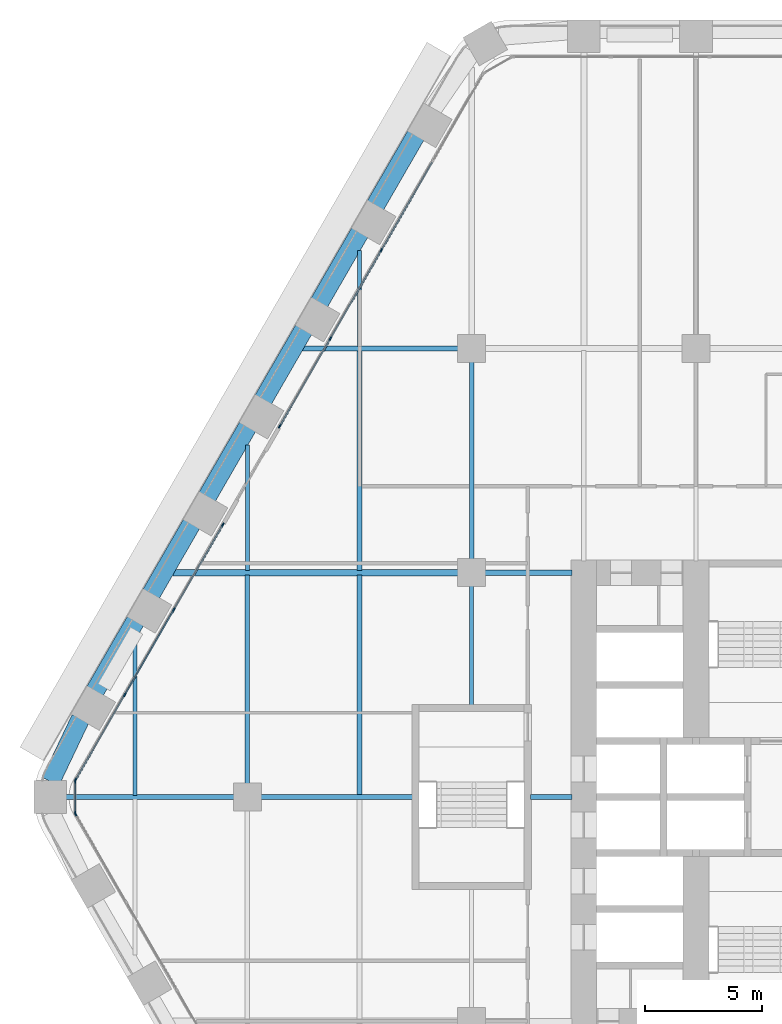
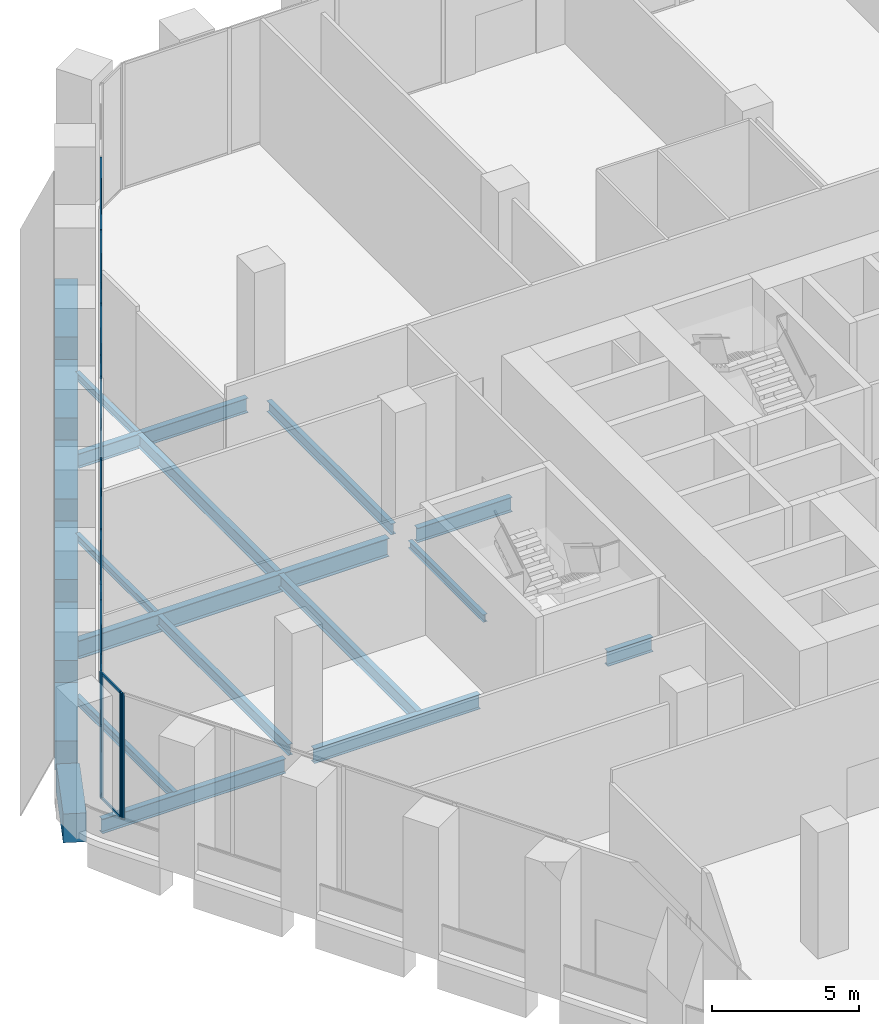
# One storey, part 7 of 27: 24 members, 21 beams, 4 elements without a shape of their own.
"""IFC4 building model written with IfcOpenShell, lengths in metres."""

from ifc_helpers import new_model, si_unit, direction, frame, origin, origin_2d, place, context, subcontext, project, spatial, rectangle, i_section, extrude, material, material_profile, profile_set, type_object, element, aggregate, save


model = new_model("IFC4")

# Units and contexts
model_context = context("Model", 3, precision=1e-05, world=origin(), true_north=direction((0.0, 1.0)))
body_context = subcontext(model_context, "Body", "Model", "MODEL_VIEW")
ifc_project = project(units=[si_unit("LENGTHUNIT", "METRE"), si_unit("AREAUNIT", "SQUARE_METRE"), si_unit("VOLUMEUNIT", "CUBIC_METRE"), si_unit("PLANEANGLEUNIT", "RADIAN"), si_unit("MASSUNIT", "GRAM", prefix="KILO")], contexts=[model_context])

# Site, building, storey
site_placement = place(None, origin())
site = spatial("IfcSite", under=ifc_project, at=site_placement, CompositionType="ELEMENT")
building_placement = place(site_placement, origin())
building = spatial("IfcBuilding", under=site, at=building_placement, Name="Kolab Exchange Tower", CompositionType="ELEMENT")
storey_placement = place(building_placement, frame((0.0, 0.0, 49.89990234375)))
storey = spatial("IfcBuildingStorey", under=building, at=storey_placement, Name="L09", CompositionType="ELEMENT", Elevation=49.89990234375)

# Beams
ifc_material_1 = material(Name="Steel S355", Category="steel")
ifc_material_profile_1 = material_profile(ifc_material_1, i_section(OverallWidth=0.1650390625, OverallDepth=0.31005859375, WebThickness=0.005859375, FlangeThickness=0.009765625, at=origin_2d()), Name="W310X39")
ifc_profile_set_1 = profile_set([ifc_material_profile_1], Name="Steel S355")
beam_type_1 = type_object("IfcBeamType", Name="FLOOR BEAM W310X39", PredefinedType="BEAM", material=ifc_profile_set_1)
beam_1_placement = place(storey_placement, frame((-28.800048828125, 9.693603515625, -0.40478515625), z_axis=(0.0, 1.0, 0.0), x_axis=(-1.0, 0.0, 0.0)))
element("IfcBeam", 1, at=beam_1_placement, inside=storey, type_object=beam_type_1, Name="beam/L09/fr/005", PredefinedType="BEAM", context=body_context, shape_type="SweptSolid", body=[
    extrude(i_section(OverallWidth=0.1650390625, OverallDepth=0.31005859375, WebThickness=0.005859375, FlangeThickness=0.009765625, at=origin_2d()), origin(), (0.0, 0.0, 1.0), 5.3740234375),
])
beam_2_placement = place(storey_placement, frame((-24.0, 19.27392578125, -0.40478515625), z_axis=(0.0, 1.0, 0.0), x_axis=(-1.0, 0.0, 0.0)))
element("IfcBeam", 2, at=beam_2_placement, inside=storey, type_object=beam_type_1, Name="beam/L09/fr/011", PredefinedType="BEAM", context=body_context, shape_type="SweptSolid", body=[
    extrude(i_section(OverallWidth=0.1650390625, OverallDepth=0.31005859375, WebThickness=0.005859375, FlangeThickness=0.009765625, at=origin_2d()), origin(), (0.0, 0.0, 1.0), 4.107666015625),
])
beam_3_placement = place(storey_placement, frame((-19.199951171875, 3.909912109375, -0.40478515625), z_axis=(0.0, 1.0, 0.0), x_axis=(-1.0, 0.0, 0.0)))
element("IfcBeam", 3, at=beam_3_placement, inside=storey, type_object=beam_type_1, Name="beam/L09/fr/015", PredefinedType="BEAM", context=body_context, shape_type="SweptSolid", body=[
    extrude(i_section(OverallWidth=0.1650390625, OverallDepth=0.31005859375, WebThickness=0.005859375, FlangeThickness=0.009765625, at=origin_2d()), origin(), (0.0, 0.0, 1.0), 5.130126953125),
])
ifc_material_profile_2 = material_profile(ifc_material_1, i_section(OverallWidth=0.1708984375, OverallDepth=0.35498046875, WebThickness=0.007080078125, FlangeThickness=0.01171875, at=origin_2d()), Name="W360X51")
ifc_profile_set_2 = profile_set([ifc_material_profile_2], Name="Steel S355")
beam_type_2 = type_object("IfcBeamType", Name="FLOOR BEAM W360X51", PredefinedType="BEAM", material=ifc_profile_set_2)
beam_4_placement = place(storey_placement, frame((-33.60009765625, 0.073974609375, -0.427490234375), z_axis=(0.0, 1.0, 0.0), x_axis=(-1.0, 0.0, 0.0)))
element("IfcBeam", 4, at=beam_4_placement, inside=storey, type_object=beam_type_2, Name="beam/L09/fr/001", PredefinedType="BEAM", context=body_context, shape_type="SweptSolid", body=[
    extrude(i_section(OverallWidth=0.1708984375, OverallDepth=0.35498046875, WebThickness=0.007080078125, FlangeThickness=0.01171875, at=origin_2d()), origin(), (0.0, 0.0, 1.0), 6.679931640625),
])
ifc_material_profile_3 = material_profile(ifc_material_1, i_section(OverallWidth=0.18994140625, OverallDepth=0.45703125, WebThickness=0.009033203125, FlangeThickness=0.014404296875, at=origin_2d()), Name="W460X74")
ifc_profile_set_3 = profile_set([ifc_material_profile_3], Name="Steel S355")
beam_type_3 = type_object("IfcBeamType", Name="FLOOR BEAM W460X74", PredefinedType="BEAM", material=ifc_profile_set_3)
beam_5_placement = place(storey_placement, frame((-28.800048828125, 0.56005859375, -0.478515625), z_axis=(0.0, 1.0, 0.0), x_axis=(-1.0, 0.0, 0.0)))
element("IfcBeam", 5, at=beam_5_placement, inside=storey, type_object=beam_type_3, Name="beam/L09/fr/004", PredefinedType="BEAM", context=body_context, shape_type="SweptSolid", body=[
    extrude(i_section(OverallWidth=0.18994140625, OverallDepth=0.45703125, WebThickness=0.009033203125, FlangeThickness=0.014404296875, at=origin_2d()), origin(), (0.0, 0.0, 1.0), 8.946533203125),
])
beam_6_placement = place(storey_placement, frame((-19.199951171875, 10.159912109375, -0.478515625), z_axis=(0.0, 1.0, 0.0), x_axis=(-1.0, 0.0, 0.0)))
element("IfcBeam", 6, at=beam_6_placement, inside=storey, type_object=beam_type_3, Name="beam/L09/fr/016", PredefinedType="BEAM", context=body_context, shape_type="SweptSolid", body=[
    extrude(i_section(OverallWidth=0.18994140625, OverallDepth=0.45703125, WebThickness=0.009033203125, FlangeThickness=0.014404296875, at=origin_2d()), origin(), (0.0, 0.0, 1.0), 8.47998046875),
])
ifc_material_profile_4 = material_profile(ifc_material_1, i_section(OverallWidth=0.208984375, OverallDepth=0.532958984375, WebThickness=0.01025390625, FlangeThickness=0.015625, at=origin_2d()), Name="W530X92")
ifc_profile_set_4 = profile_set([ifc_material_profile_4], Name="Steel S355")
beam_type_4 = type_object("IfcBeamType", Name="FLOOR BEAM W530X92", PredefinedType="BEAM", material=ifc_profile_set_4)
beam_7_placement = place(storey_placement, frame((-24.0, 0.073974609375, -0.516357421875), z_axis=(0.0, 1.0, 0.0), x_axis=(-1.0, 0.0, 0.0)))
element("IfcBeam", 7, at=beam_7_placement, inside=storey, type_object=beam_type_4, Name="beam/L09/fr/009", PredefinedType="BEAM", context=body_context, shape_type="SweptSolid", body=[
    extrude(i_section(OverallWidth=0.208984375, OverallDepth=0.532958984375, WebThickness=0.01025390625, FlangeThickness=0.015625, at=origin_2d()), origin(), (0.0, 0.0, 1.0), 9.4326171875),
])
beam_8_placement = place(storey_placement, frame((-24.0, 9.693603515625, -0.516357421875), z_axis=(0.0, 1.0, 0.0), x_axis=(-1.0, 0.0, 0.0)))
element("IfcBeam", 8, at=beam_8_placement, inside=storey, type_object=beam_type_4, Name="beam/L09/fr/010", PredefinedType="BEAM", context=body_context, shape_type="SweptSolid", body=[
    extrude(i_section(OverallWidth=0.208984375, OverallDepth=0.532958984375, WebThickness=0.01025390625, FlangeThickness=0.015625, at=origin_2d()), origin(), (0.0, 0.0, 1.0), 9.432373046875),
])
ifc_material_profile_5 = material_profile(ifc_material_1, i_section(OverallWidth=0.22802734375, OverallDepth=0.60791015625, WebThickness=0.01123046875, FlangeThickness=0.017333984375, at=origin_2d()), Name="W610X113")
ifc_profile_set_5 = profile_set([ifc_material_profile_5], Name="Steel S355")
beam_type_5 = type_object("IfcBeamType", Name="FLOOR GIRDER W610X113", PredefinedType="BEAM", material=ifc_profile_set_5)
beam_9_placement = place(storey_placement, frame((-36.575927734375, 0.0, -0.553955078125), z_axis=(1.0, 0.0, 0.0), x_axis=(0.0, 1.0, 0.0)))
element("IfcBeam", 9, at=beam_9_placement, inside=storey, type_object=beam_type_5, Name="beam/L09/gd/000", PredefinedType="BEAM", context=body_context, shape_type="SweptSolid", body=[
    extrude(i_section(OverallWidth=0.22802734375, OverallDepth=0.60791015625, WebThickness=0.01123046875, FlangeThickness=0.017333984375, at=origin_2d()), origin(), (0.0, 0.0, 1.0), 7.2158203125),
])
beam_10_placement = place(storey_placement, frame((-28.239990234375, 0.0, -0.553955078125), z_axis=(1.0, 0.0, 0.0), x_axis=(0.0, 1.0, 0.0)))
element("IfcBeam", 10, at=beam_10_placement, inside=storey, type_object=beam_type_5, Name="beam/L09/gd/003", PredefinedType="BEAM", context=body_context, shape_type="SweptSolid", body=[
    extrude(i_section(OverallWidth=0.22802734375, OverallDepth=0.60791015625, WebThickness=0.01123046875, FlangeThickness=0.017333984375, at=origin_2d()), origin(), (0.0, 0.0, 1.0), 6.530029296875),
])
beam_11_placement = place(storey_placement, frame((-26.43115234375, 19.199951171875, -0.553955078125), z_axis=(1.0, 0.0, 0.0), x_axis=(0.0, 1.0, 0.0)))
element("IfcBeam", 11, at=beam_11_placement, inside=storey, type_object=beam_type_5, Name="beam/L09/gd/005", PredefinedType="BEAM", context=body_context, shape_type="SweptSolid", body=[
    extrude(i_section(OverallWidth=0.22802734375, OverallDepth=0.60791015625, WebThickness=0.01123046875, FlangeThickness=0.017333984375, at=origin_2d()), origin(), (0.0, 0.0, 1.0), 6.671142578125),
])
beam_12_placement = place(storey_placement, frame((-18.639892578125, 9.60009765625, -0.553955078125), z_axis=(1.0, 0.0, 0.0), x_axis=(0.0, 1.0, 0.0)))
element("IfcBeam", 12, at=beam_12_placement, inside=storey, type_object=beam_type_5, Name="beam/L09/gd/008", PredefinedType="BEAM", context=body_context, shape_type="SweptSolid", body=[
    extrude(i_section(OverallWidth=0.22802734375, OverallDepth=0.60791015625, WebThickness=0.01123046875, FlangeThickness=0.017333984375, at=origin_2d()), origin(), (0.0, 0.0, 1.0), 3.72998046875),
])
beam_13_placement = place(storey_placement, frame((-16.68994140625, 0.0, -0.553955078125), z_axis=(1.0, 0.0, 0.0), x_axis=(0.0, 1.0, 0.0)))
element("IfcBeam", 13, at=beam_13_placement, inside=storey, type_object=beam_type_5, Name="beam/L09/gd/010", PredefinedType="BEAM", context=body_context, shape_type="SweptSolid", body=[
    extrude(i_section(OverallWidth=0.22802734375, OverallDepth=0.60791015625, WebThickness=0.01123046875, FlangeThickness=0.017333984375, at=origin_2d()), origin(), (0.0, 0.0, 1.0), 1.780029296875),
])
ifc_material_profile_6 = material_profile(ifc_material_1, i_section(OverallWidth=0.26708984375, OverallDepth=0.761962890625, WebThickness=0.014404296875, FlangeThickness=0.021484375, at=origin_2d()), Name="W760X173")
ifc_profile_set_6 = profile_set([ifc_material_profile_6], Name="Steel S355")
beam_type_6 = type_object("IfcBeamType", Name="FLOOR GIRDER W760X173", PredefinedType="BEAM", material=ifc_profile_set_6)
beam_14_placement = place(storey_placement, frame((-31.9736328125, 9.60009765625, -0.630859375), z_axis=(1.0, 0.0, 0.0), x_axis=(0.0, 1.0, 0.0)))
element("IfcBeam", 14, at=beam_14_placement, inside=storey, type_object=beam_type_6, Name="beam/L09/gd/002", PredefinedType="BEAM", context=body_context, shape_type="SweptSolid", body=[
    extrude(i_section(OverallWidth=0.26708984375, OverallDepth=0.761962890625, WebThickness=0.014404296875, FlangeThickness=0.021484375, at=origin_2d()), origin(), (0.0, 0.0, 1.0), 12.213623046875),
])
ifc_material_2 = material(Name="Concrete C80/95", Category="concrete")
ifc_material_profile_7 = material_profile(ifc_material_2, rectangle(XDim=0.800048828125, YDim=1.199951171875, at=origin_2d()), Name="RC800X1200")
ifc_profile_set_7 = profile_set([ifc_material_profile_7], Name="Concrete C80/95")
beam_type_7 = type_object("IfcBeamType", Name="SPANDREL BEAM 800X1200 C80/95", PredefinedType="BEAM", material=ifc_profile_set_7)
beam_15_placement = place(storey_placement, frame((-37.219970703125, 0.663818359375, -0.849853515625), z_axis=(0.429555669245, 0.903040379507, 0.0), x_axis=(-0.903040379507, 0.429555669245, 0.0)))
element("IfcBeam", 15, at=beam_15_placement, inside=storey, type_object=beam_type_7, Name="beam/L09/sp/F6-01", PredefinedType="BEAM", context=body_context, shape_type="SweptSolid", body=[
    extrude(rectangle(XDim=0.800048828125, YDim=1.199951171875, at=origin_2d()), origin(), (0.0, 0.0, 1.0), 2.984375),
])
beam_16_placement = place(storey_placement, frame((-35.323486328125, 4.528564453125, -0.849853515625), z_axis=(0.500009906705, 0.86601968407, 0.0), x_axis=(-0.86601968407, 0.500009906705, 0.0)))
element("IfcBeam", 16, at=beam_16_placement, inside=storey, type_object=beam_type_7, Name="beam/L09/sp/F6-02", PredefinedType="BEAM", context=body_context, shape_type="SweptSolid", body=[
    extrude(rectangle(XDim=0.800048828125, YDim=1.199951171875, at=origin_2d()), origin(), (0.0, 0.0, 1.0), 3.47998046875),
])
for number, where, z_axis, x_axis, name in (
    (17, (-32.923583984375, 8.685302734375, -0.849853515625), (0.499979528911, 0.866037222451, 0.0), (-0.866037222451, 0.499979528911, 0.0), "beam/L09/sp/F6-03"),
    (18, (-30.523681640625, 12.84228515625, -0.849853515625), (0.499979528911, 0.866037222451, 0.0), (-0.866037222451, 0.499979528911, 0.0), "beam/L09/sp/F6-04"),
):
    element("IfcBeam", number, at=place(storey_placement, frame(where, z_axis=z_axis, x_axis=x_axis)), inside=storey, type_object=beam_type_7, Name=name, PredefinedType="BEAM", context=body_context, shape_type="SweptSolid", body=[
        extrude(rectangle(XDim=0.800048828125, YDim=1.199951171875, at=origin_2d()), origin(), (0.0, 0.0, 1.0), 3.480224609375),
    ])
for number, where, z_axis, x_axis, name in (
    (19, (-28.12353515625, 16.999267578125, -0.849853515625), (0.500009906705, 0.86601968407, 0.0), (-0.86601968407, 0.500009906705, 0.0), "beam/L09/sp/F6-05"),
    (20, (-25.7236328125, 21.15625, -0.849853515625), (0.500009906705, 0.86601968407, 0.0), (-0.86601968407, 0.500009906705, 0.0), "beam/L09/sp/F6-06"),
):
    element("IfcBeam", number, at=place(storey_placement, frame(where, z_axis=z_axis, x_axis=x_axis)), inside=storey, type_object=beam_type_7, Name=name, PredefinedType="BEAM", context=body_context, shape_type="SweptSolid", body=[
        extrude(rectangle(XDim=0.800048828125, YDim=1.199951171875, at=origin_2d()), origin(), (0.0, 0.0, 1.0), 3.47998046875),
    ])
beam_17_placement = place(storey_placement, frame((-23.323486328125, 25.31298828125, -0.849853515625), z_axis=(0.499979528911, 0.866037222451, 0.0), x_axis=(-0.866037222451, 0.499979528911, 0.0)))
element("IfcBeam", 21, at=beam_17_placement, inside=storey, type_object=beam_type_7, Name="beam/L09/sp/F6-07", PredefinedType="BEAM", context=body_context, shape_type="SweptSolid", body=[
    extrude(rectangle(XDim=0.800048828125, YDim=1.199951171875, at=origin_2d()), origin(), (0.0, 0.0, 1.0), 3.480224609375),
])

# Curtain wall, member
ifc_material_3 = material(Name="Aluminium EN AW-6063 T6", Category="aluminium")
curtain_wall_type = type_object("IfcCurtainWallType", Name="UNITISED LOW ZONE CURTAIN WALL", PredefinedType="NOTDEFINED", material=ifc_material_3)
curtain_wall_1_placement = place(storey_placement, origin())
curtain_wall_1 = element("IfcCurtainWall", 22, at=curtain_wall_1_placement, inside=storey, type_object=curtain_wall_type, Name="cw/L09/F5-2", PredefinedType="NOTDEFINED")
ifc_material_profile_8 = material_profile(ifc_material_3, rectangle(XDim=0.06005859375, YDim=0.159912109375, at=origin_2d()), Name="RECT 60X160")
ifc_profile_set_8 = profile_set([ifc_material_profile_8], Name="Aluminium EN AW-6063 T6")
member_type_1 = type_object("IfcMemberType", Name="UNITISED LOW ZONE MULLION 60 X 160", PredefinedType="MULLION", material=ifc_profile_set_8)
member_1_placement = place(storey_placement, frame((-36.150634765625, -0.736083984375, 0.0), z_axis=(0.0, 0.0, 1.0), x_axis=(-0.866025422102, -0.499999968274, 0.0)))
member_1 = element("IfcMember", 23, at=member_1_placement, type_object=member_type_1, Name="CW1 mullion 5", PredefinedType="MULLION", context=body_context, shape_type="SweptSolid", body=[
    extrude(rectangle(XDim=0.06005859375, YDim=0.159912109375, at=origin_2d()), origin(), (0.0, 0.0, 1.0), 5.25),
])
aggregate(curtain_wall_1, [member_1])

# Curtain wall, members
curtain_wall_2_placement = place(storey_placement, origin())
curtain_wall_2 = element("IfcCurtainWall", 24, at=curtain_wall_2_placement, inside=storey, type_object=curtain_wall_type, Name="cw/L09/F6-1", PredefinedType="NOTDEFINED")
member_2_placement = place(storey_placement, frame((-36.150634765625, 0.736083984375, 0.0), z_axis=(0.0, 0.0, 1.0), x_axis=(-0.866025427826, 0.499999958358, 0.0)))
member_2 = element("IfcMember", 25, at=member_2_placement, type_object=member_type_1, Name="CW1 mullion 1", PredefinedType="MULLION", context=body_context, shape_type="SweptSolid", body=[
    extrude(rectangle(XDim=0.06005859375, YDim=0.159912109375, at=origin_2d()), origin(), (0.0, 0.0, 1.0), 5.25),
])
member_3_placement = place(storey_placement, frame((-34.054443359375, 4.366943359375, 0.0), z_axis=(0.0, 0.0, 1.0), x_axis=(-0.866025427826, 0.499999958358, 0.0)))
member_3 = element("IfcMember", 26, at=member_3_placement, type_object=member_type_1, Name="CW1 mullion 2", PredefinedType="MULLION", context=body_context, shape_type="SweptSolid", body=[
    extrude(rectangle(XDim=0.06005859375, YDim=0.159912109375, at=origin_2d()), origin(), (0.0, 0.0, 1.0), 5.25),
])
member_4_placement = place(storey_placement, frame((-31.943115234375, 8.02392578125, 0.0), z_axis=(0.0, 0.0, 1.0), x_axis=(-0.866025427826, 0.499999958358, 0.0)))
member_4 = element("IfcMember", 27, at=member_4_placement, type_object=member_type_1, Name="CW1 mullion 3", PredefinedType="MULLION", context=body_context, shape_type="SweptSolid", body=[
    extrude(rectangle(XDim=0.06005859375, YDim=0.159912109375, at=origin_2d()), origin(), (0.0, 0.0, 1.0), 5.25),
])
member_5_placement = place(storey_placement, frame((-29.8466796875, 11.65478515625, 0.0), z_axis=(0.0, 0.0, 1.0), x_axis=(-0.866025427826, 0.499999958358, 0.0)))
member_5 = element("IfcMember", 28, at=member_5_placement, type_object=member_type_1, Name="CW1 mullion 4", PredefinedType="MULLION", context=body_context, shape_type="SweptSolid", body=[
    extrude(rectangle(XDim=0.06005859375, YDim=0.159912109375, at=origin_2d()), origin(), (0.0, 0.0, 1.0), 5.25),
])

curtain_wall_3_placement = place(storey_placement, origin())
curtain_wall_3 = element("IfcCurtainWall", 29, at=curtain_wall_3_placement, inside=storey, type_object=curtain_wall_type, Name="cw/L09/F6-2", PredefinedType="NOTDEFINED")
member_6_placement = place(storey_placement, frame((-27.416748046875, 15.86376953125, 0.0), z_axis=(0.0, 0.0, 1.0), x_axis=(-0.866025397318, 0.5000000112, 0.0)))
member_6 = element("IfcMember", 30, at=member_6_placement, type_object=member_type_1, Name="CW1 mullion 1", PredefinedType="MULLION", context=body_context, shape_type="SweptSolid", body=[
    extrude(rectangle(XDim=0.06005859375, YDim=0.159912109375, at=origin_2d()), origin(), (0.0, 0.0, 1.0), 5.25),
])
member_7_placement = place(storey_placement, frame((-25.248291015625, 19.61962890625, 0.0), z_axis=(0.0, 0.0, 1.0), x_axis=(-0.866025397318, 0.5000000112, 0.0)))
member_7 = element("IfcMember", 31, at=member_7_placement, type_object=member_type_1, Name="CW1 mullion 2", PredefinedType="MULLION", context=body_context, shape_type="SweptSolid", body=[
    extrude(rectangle(XDim=0.06005859375, YDim=0.159912109375, at=origin_2d()), origin(), (0.0, 0.0, 1.0), 5.25),
])
member_8_placement = place(storey_placement, frame((-23.064697265625, 23.401611328125, 0.0), z_axis=(0.0, 0.0, 1.0), x_axis=(-0.866025397318, 0.5000000112, 0.0)))
member_8 = element("IfcMember", 32, at=member_8_placement, type_object=member_type_1, Name="CW1 mullion 3", PredefinedType="MULLION", context=body_context, shape_type="SweptSolid", body=[
    extrude(rectangle(XDim=0.06005859375, YDim=0.159912109375, at=origin_2d()), origin(), (0.0, 0.0, 1.0), 5.25),
])

curtain_wall_4_placement = place(storey_placement, origin())
curtain_wall_4 = element("IfcCurtainWall", 33, at=curtain_wall_4_placement, inside=storey, type_object=curtain_wall_type, Name="cw/L09/F5F6-corner", PredefinedType="NOTDEFINED")
member_9_placement = place(storey_placement, frame((-36.165771484375, -0.679931640625, 0.0), z_axis=(0.0, 0.0, 1.0), x_axis=(-1.0, 0.0, 0.0)))
member_9 = element("IfcMember", 34, at=member_9_placement, type_object=member_type_1, Name="CW1 mullion 1", PredefinedType="MULLION", context=body_context, shape_type="SweptSolid", body=[
    extrude(rectangle(XDim=0.06005859375, YDim=0.159912109375, at=origin_2d()), origin(), (0.0, 0.0, 1.0), 5.25),
])
member_10_placement = place(storey_placement, frame((-36.165771484375, 0.679931640625, 0.0), z_axis=(0.0, 0.0, 1.0), x_axis=(-1.0, 0.0, 0.0)))
member_10 = element("IfcMember", 35, at=member_10_placement, type_object=member_type_1, Name="CW1 mullion 2", PredefinedType="MULLION", context=body_context, shape_type="SweptSolid", body=[
    extrude(rectangle(XDim=0.06005859375, YDim=0.159912109375, at=origin_2d()), origin(), (0.0, 0.0, 1.0), 5.25),
])

# Member
ifc_material_profile_9 = material_profile(ifc_material_3, rectangle(XDim=0.06005859375, YDim=0.10009765625, at=origin_2d()), Name="RECT 60X100")
ifc_profile_set_9 = profile_set([ifc_material_profile_9], Name="Aluminium EN AW-6063 T6")
member_type_2 = type_object("IfcMemberType", Name="UNITISED LOW ZONE TRANSOM 60 X 100", PredefinedType="USERDEFINED", material=ifc_profile_set_9)
member_11_placement = place(storey_placement, frame((-36.1357421875, 0.761962890625, 0.030029296875), z_axis=(0.500027577057, 0.866009481578, 0.0), x_axis=(-0.866009481578, 0.500027577057, 0.0)))
member_11 = element("IfcMember", 36, at=member_11_placement, type_object=member_type_2, Name="CW1 transom 1.1", ObjectType="TRANSOM", PredefinedType="USERDEFINED", context=body_context, shape_type="SweptSolid", body=[
    extrude(rectangle(XDim=0.06005859375, YDim=0.10009765625, at=origin_2d()), origin(), (0.0, 0.0, 1.0), 4.132568359375),
])

member_12_placement = place(storey_placement, frame((-36.1357421875, 0.761962890625, 5.22021484375), z_axis=(0.500027577057, 0.866009481578, 0.0), x_axis=(-0.866009481578, 0.500027577057, 0.0)))
member_12 = element("IfcMember", 37, at=member_12_placement, type_object=member_type_2, Name="CW1 transom 1.2", ObjectType="TRANSOM", PredefinedType="USERDEFINED", context=body_context, shape_type="SweptSolid", body=[
    extrude(rectangle(XDim=0.06005859375, YDim=0.10009765625, at=origin_2d()), origin(), (0.0, 0.0, 1.0), 4.132568359375),
])

member_13_placement = place(storey_placement, frame((-34.039306640625, 4.392822265625, 0.030029296875), z_axis=(0.49999322259, 0.866029316688, 0.0), x_axis=(-0.866029316688, 0.49999322259, 0.0)))
member_13 = element("IfcMember", 38, at=member_13_placement, type_object=member_type_2, Name="CW1 transom 2.1", ObjectType="TRANSOM", PredefinedType="USERDEFINED", context=body_context, shape_type="SweptSolid", body=[
    extrude(rectangle(XDim=0.06005859375, YDim=0.10009765625, at=origin_2d()), origin(), (0.0, 0.0, 1.0), 4.16259765625),
])

member_14_placement = place(storey_placement, frame((-34.039306640625, 4.392822265625, 5.22021484375), z_axis=(0.49999322259, 0.866029316688, 0.0), x_axis=(-0.866029316688, 0.49999322259, 0.0)))
member_14 = element("IfcMember", 39, at=member_14_placement, type_object=member_type_2, Name="CW1 transom 2.2", ObjectType="TRANSOM", PredefinedType="USERDEFINED", context=body_context, shape_type="SweptSolid", body=[
    extrude(rectangle(XDim=0.06005859375, YDim=0.10009765625, at=origin_2d()), origin(), (0.0, 0.0, 1.0), 4.16259765625),
])

member_15_placement = place(storey_placement, frame((-31.927978515625, 8.0498046875, 0.030029296875), z_axis=(0.500001996123, 0.866024251319, 0.0), x_axis=(-0.866024251319, 0.500001996123, 0.0)))
member_15 = element("IfcMember", 40, at=member_15_placement, type_object=member_type_2, Name="CW1 transom 3.1", ObjectType="TRANSOM", PredefinedType="USERDEFINED", context=body_context, shape_type="SweptSolid", body=[
    extrude(rectangle(XDim=0.06005859375, YDim=0.10009765625, at=origin_2d()), origin(), (0.0, 0.0, 1.0), 4.1328125),
])

member_16_placement = place(storey_placement, frame((-31.927978515625, 8.0498046875, 5.22021484375), z_axis=(0.500001996123, 0.866024251319, 0.0), x_axis=(-0.866024251319, 0.500001996123, 0.0)))
member_16 = element("IfcMember", 41, at=member_16_placement, type_object=member_type_2, Name="CW1 transom 3.2", ObjectType="TRANSOM", PredefinedType="USERDEFINED", context=body_context, shape_type="SweptSolid", body=[
    extrude(rectangle(XDim=0.06005859375, YDim=0.10009765625, at=origin_2d()), origin(), (0.0, 0.0, 1.0), 4.1328125),
])

aggregate(curtain_wall_2, [member_2, member_3, member_4, member_5, member_11, member_12, member_13, member_14, member_15, member_16])

member_17_placement = place(storey_placement, frame((-27.401611328125, 15.8896484375, 0.030029296875), z_axis=(0.499976099074, 0.866039202551, 0.0), x_axis=(-0.866039202551, 0.499976099074, 0.0)))
member_17 = element("IfcMember", 42, at=member_17_placement, type_object=member_type_2, Name="CW1 transom 1.1", ObjectType="TRANSOM", PredefinedType="USERDEFINED", context=body_context, shape_type="SweptSolid", body=[
    extrude(rectangle(XDim=0.06005859375, YDim=0.10009765625, at=origin_2d()), origin(), (0.0, 0.0, 1.0), 4.277099609375),
])

member_18_placement = place(storey_placement, frame((-27.401611328125, 15.8896484375, 5.22021484375), z_axis=(0.499976099074, 0.866039202551, 0.0), x_axis=(-0.866039202551, 0.499976099074, 0.0)))
member_18 = element("IfcMember", 43, at=member_18_placement, type_object=member_type_2, Name="CW1 transom 1.2", ObjectType="TRANSOM", PredefinedType="USERDEFINED", context=body_context, shape_type="SweptSolid", body=[
    extrude(rectangle(XDim=0.06005859375, YDim=0.10009765625, at=origin_2d()), origin(), (0.0, 0.0, 1.0), 4.277099609375),
])

member_19_placement = place(storey_placement, frame((-25.233154296875, 19.6455078125, 0.030029296875), z_axis=(0.500010313095, 0.866019449435, 0.0), x_axis=(-0.866019449435, 0.500010313095, 0.0)))
member_19 = element("IfcMember", 44, at=member_19_placement, type_object=member_type_2, Name="CW1 transom 2.1", ObjectType="TRANSOM", PredefinedType="USERDEFINED", context=body_context, shape_type="SweptSolid", body=[
    extrude(rectangle(XDim=0.06005859375, YDim=0.10009765625, at=origin_2d()), origin(), (0.0, 0.0, 1.0), 4.30712890625),
])

member_20_placement = place(storey_placement, frame((-25.233154296875, 19.6455078125, 5.22021484375), z_axis=(0.500010313095, 0.866019449435, 0.0), x_axis=(-0.866019449435, 0.500010313095, 0.0)))
member_20 = element("IfcMember", 45, at=member_20_placement, type_object=member_type_2, Name="CW1 transom 2.2", ObjectType="TRANSOM", PredefinedType="USERDEFINED", context=body_context, shape_type="SweptSolid", body=[
    extrude(rectangle(XDim=0.06005859375, YDim=0.10009765625, at=origin_2d()), origin(), (0.0, 0.0, 1.0), 4.30712890625),
])

member_21_placement = place(storey_placement, frame((-23.0498046875, 23.427490234375, 0.030029296875), z_axis=(0.500010313095, 0.866019449435, 0.0), x_axis=(-0.866019449435, 0.500010313095, 0.0)))
member_21 = element("IfcMember", 46, at=member_21_placement, type_object=member_type_2, Name="CW1 transom 3.1", ObjectType="TRANSOM", PredefinedType="USERDEFINED", context=body_context, shape_type="SweptSolid", body=[
    extrude(rectangle(XDim=0.06005859375, YDim=0.10009765625, at=origin_2d()), origin(), (0.0, 0.0, 1.0), 4.30712890625),
])

member_22_placement = place(storey_placement, frame((-23.0498046875, 23.427490234375, 5.22021484375), z_axis=(0.500010313095, 0.866019449435, 0.0), x_axis=(-0.866019449435, 0.500010313095, 0.0)))
member_22 = element("IfcMember", 47, at=member_22_placement, type_object=member_type_2, Name="CW1 transom 3.2", ObjectType="TRANSOM", PredefinedType="USERDEFINED", context=body_context, shape_type="SweptSolid", body=[
    extrude(rectangle(XDim=0.06005859375, YDim=0.10009765625, at=origin_2d()), origin(), (0.0, 0.0, 1.0), 4.30712890625),
])

aggregate(curtain_wall_3, [member_6, member_7, member_8, member_17, member_18, member_19, member_20, member_21, member_22])

member_23_placement = place(storey_placement, frame((-36.165771484375, -0.64990234375, 0.030029296875), z_axis=(0.0, 1.0, 0.0), x_axis=(-1.0, 0.0, 0.0)))
member_23 = element("IfcMember", 48, at=member_23_placement, type_object=member_type_2, Name="CW1 transom 1.1", ObjectType="TRANSOM", PredefinedType="USERDEFINED", context=body_context, shape_type="SweptSolid", body=[
    extrude(rectangle(XDim=0.06005859375, YDim=0.10009765625, at=origin_2d()), origin(), (0.0, 0.0, 1.0), 1.2998046875),
])

member_24_placement = place(storey_placement, frame((-36.165771484375, -0.64990234375, 5.22021484375), z_axis=(0.0, 1.0, 0.0), x_axis=(-1.0, 0.0, 0.0)))
member_24 = element("IfcMember", 49, at=member_24_placement, type_object=member_type_2, Name="CW1 transom 1.2", ObjectType="TRANSOM", PredefinedType="USERDEFINED", context=body_context, shape_type="SweptSolid", body=[
    extrude(rectangle(XDim=0.06005859375, YDim=0.10009765625, at=origin_2d()), origin(), (0.0, 0.0, 1.0), 1.2998046875),
])

aggregate(curtain_wall_4, [member_9, member_10, member_23, member_24])

save(model, "model.ifc")
